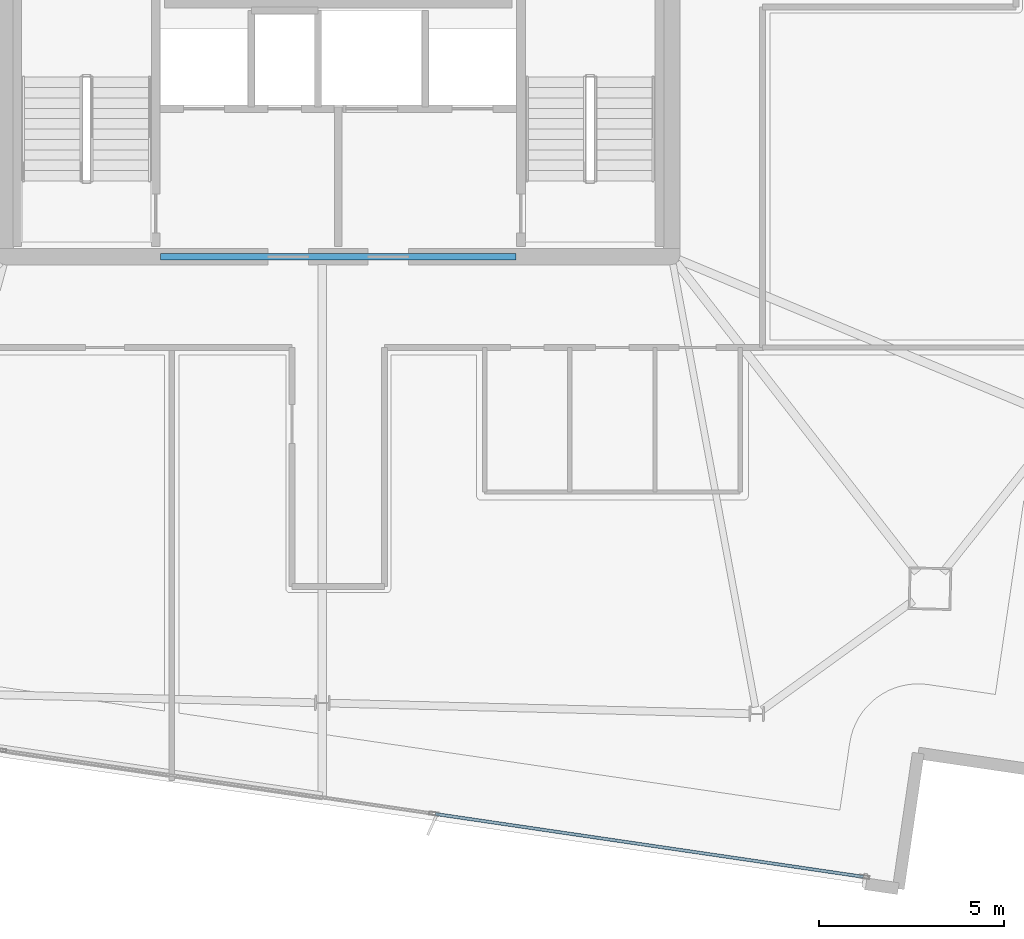
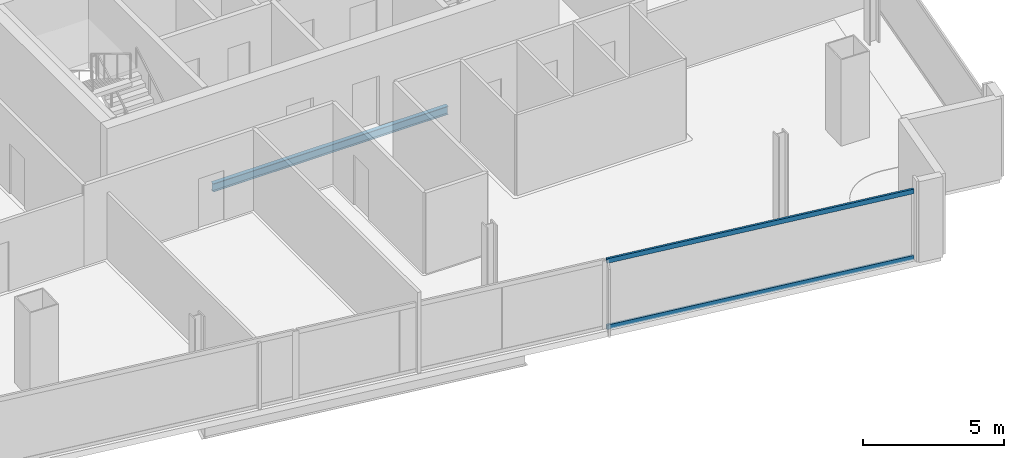
# One storey, part 6 of 22: 2 members, 1 beam, 1 element without a shape of its own.
"""IFC4 building model written with IfcOpenShell, lengths in metres."""

import ifcopenshell
import ifcopenshell.guid

model = None  # the IFC model being written
_history = None  # IfcOwnerHistory: only IFC2X3 demands one
_inside = {}  # id of a spatial element -> (the spatial element, [elements in it])
_under = {}  # id of a project, library or spatial element -> (it, [spatial elements below it])
_declared = {}  # id of a project -> (the project, [libraries it declares])
_typed = {}  # id of a type object -> (the type object, [elements of that type])
_made_of = {}  # id of a material, layer set ... -> (it, [elements and type objects made of it])


def new_model(schema):
    """Start an empty IFC model of exactly this schema.

    Asked for "IFC4X3", IfcOpenShell would pick the latest addendum, in which some entities
    have other attributes; the version numbers below select the first issue.
    IFC2X3 requires an IfcOwnerHistory on every rooted entity: one is made here for all.
    """
    global model, _history
    if schema == "IFC4X3":
        model = ifcopenshell.file(schema_version=(4, 3, 0, 0))
    else:
        model = ifcopenshell.file(schema=schema)
    _inside.clear()
    _under.clear()
    _declared.clear()
    _typed.clear()
    _made_of.clear()
    _history = None
    if model.schema == "IFC2X3":
        org = make("IfcOrganization", Name="unknown")
        user = make(
            "IfcPersonAndOrganization",
            ThePerson=make("IfcPerson", FamilyName="unknown"),
            TheOrganization=org,
        )
        app = make(
            "IfcApplication",
            ApplicationDeveloper=org,
            Version="unknown",
            ApplicationFullName="unknown",
            ApplicationIdentifier="unknown",
        )
        _history = make(
            "IfcOwnerHistory",
            OwningUser=user,
            OwningApplication=app,
            ChangeAction="ADDED",
            CreationDate=0,
        )
    return model


def make(cls, **values):
    """One entity of the class cls with the attributes given. An attribute that is None is left unset."""
    return model.create_entity(
        cls, **{name: value for name, value in values.items() if value is not None}
    )


def rooted(cls, **values):
    """An entity with a GlobalId (a new one), such as an element, a storey or a relation."""
    return make(cls, GlobalId=ifcopenshell.guid.new(), OwnerHistory=_history, **values)


def si_unit(unit_type, name, prefix=None):
    """IfcSIUnit, for example si_unit("LENGTHUNIT", "METRE", prefix="MILLI")."""
    return make("IfcSIUnit", UnitType=unit_type, Prefix=prefix, Name=name)


def assignment(units):
    """IfcUnitAssignment: the units of a project."""
    return None if units is None else make("IfcUnitAssignment", Units=units)


def point(xyz):
    """IfcCartesianPoint."""
    return None if xyz is None else make("IfcCartesianPoint", Coordinates=xyz)


def direction(xyz):
    """IfcDirection."""
    return None if xyz is None else make("IfcDirection", DirectionRatios=xyz)


def frame(location, z_axis=None, x_axis=None):
    """IfcAxis2Placement3D, a coordinate frame: its origin and axes. An axis left out is left unset."""
    return make(
        "IfcAxis2Placement3D",
        Location=point(location),
        Axis=direction(z_axis),
        RefDirection=direction(x_axis),
    )


def frame_2d(location, x_axis=None):
    """IfcAxis2Placement2D, a coordinate frame in the plane: its origin and x axis."""
    return make(
        "IfcAxis2Placement2D", Location=point(location), RefDirection=direction(x_axis)
    )


def origin():
    """The frame at (0, 0, 0) with its axes left unset."""
    return frame((0.0, 0.0, 0.0))


def origin_2d():
    """The frame at (0, 0) in the plane with its x axis left unset."""
    return frame_2d((0.0, 0.0))


def place(relative_to, where):
    """IfcLocalPlacement: puts the frame where relative to a parent placement (None: the world)."""
    return make(
        "IfcLocalPlacement", PlacementRelTo=relative_to, RelativePlacement=where
    )


def context(
    kind, dimensions, precision=None, world=None, true_north=None, identifier=None
):
    """IfcGeometricRepresentationContext, for example the 3D "Model" context."""
    return make(
        "IfcGeometricRepresentationContext",
        ContextIdentifier=identifier,
        ContextType=kind,
        CoordinateSpaceDimension=dimensions,
        Precision=precision,
        WorldCoordinateSystem=world,
        TrueNorth=true_north,
    )


def subcontext(parent, identifier, kind, view, scale=None):
    """IfcGeometricRepresentationSubContext, for example "Body" below "Model"."""
    return make(
        "IfcGeometricRepresentationSubContext",
        ContextIdentifier=identifier,
        ContextType=kind,
        ParentContext=parent,
        TargetScale=scale,
        TargetView=view,
    )


def project(units=None, contexts=None):
    """IfcProject with its units and contexts."""
    return rooted(
        "IfcProject",
        Name="project",
        RepresentationContexts=contexts,
        UnitsInContext=assignment(units),
    )


def spatial(cls, under=None, at=None, **own):
    """A site, building, storey or space (cls), placed at a placement, below another one or the project."""
    s = rooted(cls, ObjectPlacement=at, **own)
    if under is not None:
        _under.setdefault(under.id(), (under, []))[1].append(s)
    return s


def profile(cls, at=None, kind="AREA", **sizes):
    """A parametric profile (cls). Its sizes go by their IFC names, for example OverallWidth=200.0."""
    return make(cls, ProfileType=kind, Position=at, **sizes)


def hollow_rectangle(**sizes):
    """IfcRectangleHollowProfileDef."""
    return profile("IfcRectangleHollowProfileDef", **sizes)


def i_section(**sizes):
    """IfcIShapeProfileDef."""
    return profile("IfcIShapeProfileDef", **sizes)


def extrude(swept, where, along, depth):
    """IfcExtrudedAreaSolid: the profile swept, set in the frame where, extruded along a direction by depth."""
    return make(
        "IfcExtrudedAreaSolid",
        SweptArea=swept,
        Position=where,
        ExtrudedDirection=direction(along),
        Depth=depth,
    )


def shape(context_of_items, identifier, shape_type, items):
    """IfcShapeRepresentation: the items that make up one representation, for example the "Body"."""
    return make(
        "IfcShapeRepresentation",
        ContextOfItems=context_of_items,
        RepresentationIdentifier=identifier,
        RepresentationType=shape_type,
        Items=items,
    )


def material(Name=None, Category=None):
    """IfcMaterial."""
    return make("IfcMaterial", Name=Name, Category=Category)


def material_profile(
    of_material, cross_section, Name=None, Category=None, Priority=None
):
    """IfcMaterialProfile: a cross section and its material."""
    return make(
        "IfcMaterialProfile",
        Name=Name,
        Material=of_material,
        Profile=cross_section,
        Priority=Priority,
        Category=Category,
    )


def profile_set(profiles, Name=None, composite=None):
    """IfcMaterialProfileSet."""
    return make(
        "IfcMaterialProfileSet",
        Name=Name,
        MaterialProfiles=profiles,
        CompositeProfile=composite,
    )


def made_of(thing, what):
    """Note that an element or type object is made of a material, layer set ...; save() writes the relation."""
    if what is not None:
        _made_of.setdefault(what.id(), (what, []))[1].append(thing)
    return thing


def type_object(cls, material=None, **own):
    """A type object (cls), such as IfcWallType, which elements share."""
    return made_of(rooted(cls, **own), material)


def element(
    cls,
    number,
    at=None,
    inside=None,
    cuts=None,
    type_object=None,
    material=None,
    context=None,
    identifier="Body",
    shape_type=None,
    held_by="IfcProductDefinitionShape",
    body=None,
    shapes=None,
    **own,
):
    """One element of the class cls, such as IfcWall. Its Tag is "e" and its number.

    at: its placement. inside: the storey or other place that contains it. cuts: it is an
    opening in that element (IfcRelVoidsElement). A single representation is given by context,
    identifier, shape_type and body (its items); several are given by shapes. held_by: the class
    of the entity that holds the representations. save() writes the other relations.
    """
    e = rooted(cls, Tag="e%d" % number, ObjectPlacement=at, **own)
    if body is not None:
        shapes = [shape(context, identifier, shape_type, body)]
    if shapes is not None:
        e.Representation = make(held_by, Representations=shapes)
    if inside is not None:
        _inside.setdefault(inside.id(), (inside, []))[1].append(e)
    if cuts is not None:
        rooted(
            "IfcRelVoidsElement", RelatingBuildingElement=cuts, RelatedOpeningElement=e
        )
    if type_object is not None:
        _typed.setdefault(type_object.id(), (type_object, []))[1].append(e)
    return made_of(e, material)


def aggregate(whole, parts):
    """IfcRelAggregates: a whole, such as a stair, and the parts it consists of."""
    return rooted("IfcRelAggregates", RelatingObject=whole, RelatedObjects=parts)


def save(model, path):
    """Write the relations noted so far, then the file.

    IfcRelAggregates (storeys below a building ...), IfcRelContainedInSpatialStructure (elements
    in a storey), IfcRelDefinesByType, IfcRelAssociatesMaterial and IfcRelDeclares: one each for
    every whole, place, type object, material and project.
    """
    for whole, parts in _under.values():
        aggregate(whole, parts)
    for where, things in _inside.values():
        rooted(
            "IfcRelContainedInSpatialStructure",
            RelatedElements=things,
            RelatingStructure=where,
        )
    for kind, things in _typed.values():
        rooted("IfcRelDefinesByType", RelatedObjects=things, RelatingType=kind)
    for what, things in _made_of.values():
        rooted("IfcRelAssociatesMaterial", RelatedObjects=things, RelatingMaterial=what)
    for by, libraries in _declared.values():
        rooted("IfcRelDeclares", RelatingContext=by, RelatedDefinitions=libraries)
    model.write(path)


model = new_model("IFC4")

# Units and contexts
model_context = context("Model", 3, precision=1e-05, world=origin(), true_north=direction((0.0, 1.0)))
body_context = subcontext(model_context, "Body", "Model", "MODEL_VIEW")
ifc_project = project(units=[si_unit("LENGTHUNIT", "METRE"), si_unit("AREAUNIT", "SQUARE_METRE"), si_unit("VOLUMEUNIT", "CUBIC_METRE"), si_unit("PLANEANGLEUNIT", "RADIAN"), si_unit("MASSUNIT", "GRAM", prefix="KILO")], contexts=[model_context])

# Site, building, storey
site_placement = place(None, origin())
site = spatial("IfcSite", under=ifc_project, at=site_placement, CompositionType="ELEMENT")
building_placement = place(site_placement, origin())
building = spatial("IfcBuilding", under=site, at=building_placement, Name="Haldenkirk Collegiate Tower", CompositionType="ELEMENT")
storey_placement = place(building_placement, frame((0.0, 0.0, 302.699951171875)))
storey = spatial("IfcBuildingStorey", under=building, at=storey_placement, Name="L76", CompositionType="ELEMENT", Elevation=302.699951171875)

# Beam
ifc_material_1 = material(Name="Steel ASTM A992 Grade 50", Category="steel")
ifc_material_profile_1 = material_profile(ifc_material_1, i_section(OverallWidth=0.1708984375, OverallDepth=0.35595703125, WebThickness=0.007080078125, FlangeThickness=0.01171875, at=origin_2d()), Name="W14X34")
ifc_profile_set_1 = profile_set([ifc_material_profile_1], Name="Steel ASTM A992 Grade 50")
beam_type = type_object("IfcBeamType", Name="BM-LINTEL-W14X34", PredefinedType="LINTEL", material=ifc_profile_set_1)
beam_placement = place(storey_placement, frame((31.199951171875, 18.0, -0.43798828125), z_axis=(1.0, 0.0, 0.0), x_axis=(0.0, 1.0, 0.0)))
element("IfcBeam", 1, at=beam_placement, inside=storey, type_object=beam_type, Name="L76 south core coupling lintel", PredefinedType="LINTEL", context=body_context, shape_type="SweptSolid", body=[
    extrude(i_section(OverallWidth=0.1708984375, OverallDepth=0.35595703125, WebThickness=0.007080078125, FlangeThickness=0.01171875, at=origin_2d()), origin(), (0.0, 0.0, 1.0), 9.60009765625),
])

# Curtain wall, members
ifc_material_2 = material(Name="Anodised architectural bronze aluminium", Category="aluminium")
curtain_wall_type = type_object("IfcCurtainWallType", Name="CW-SYS1B-CONVEX-HI", PredefinedType="USERDEFINED", material=ifc_material_2)
curtain_wall_placement = place(storey_placement, origin())
curtain_wall = element("IfcCurtainWall", 2, at=curtain_wall_placement, inside=storey, type_object=curtain_wall_type, Name="L76 Upper tower high-wind convex bronze unitised curtain wall", ObjectType="UNITISED CURTAIN WALL", PredefinedType="USERDEFINED")
ifc_material_profile_2 = material_profile(ifc_material_2, hollow_rectangle(XDim=0.0849609375, YDim=0.199951171875, WallThickness=0.0048828125, at=origin_2d()), Name="CW-TRN-1B")
ifc_profile_set_2 = profile_set([ifc_material_profile_2], Name="Anodised architectural bronze aluminium")
member_type = type_object("IfcMemberType", Name="CW-TRN-1B", PredefinedType="USERDEFINED", material=ifc_profile_set_2)
member_1_placement = place(storey_placement, frame((50.17236328125, 1.259765625, 0.04248046875), z_axis=(-0.989399653335, 0.145218201275, 0.0), x_axis=(-0.145218201275, -0.989399653335, 0.0)))
member_1 = element("IfcMember", 3, at=member_1_placement, type_object=member_type, Name="CW-1B transom 1.1", ObjectType="TRANSOM", PredefinedType="USERDEFINED", context=body_context, shape_type="SweptSolid", body=[
    extrude(hollow_rectangle(XDim=0.0849609375, YDim=0.199951171875, WallThickness=0.0048828125, at=origin_2d()), origin(), (0.0, 0.0, 1.0), 11.672607421875),
])
member_2_placement = place(storey_placement, frame((50.17236328125, 1.259765625, 2.905517578125), z_axis=(-0.989399653335, 0.145218201275, 0.0), x_axis=(-0.145218201275, -0.989399653335, 0.0)))
member_2 = element("IfcMember", 4, at=member_2_placement, type_object=member_type, Name="CW-1B transom 1.2", ObjectType="TRANSOM", PredefinedType="USERDEFINED", context=body_context, shape_type="SweptSolid", body=[
    extrude(hollow_rectangle(XDim=0.0849609375, YDim=0.199951171875, WallThickness=0.0048828125, at=origin_2d()), origin(), (0.0, 0.0, 1.0), 11.672607421875),
])
aggregate(curtain_wall, [member_1, member_2])

save(model, "model.ifc")
